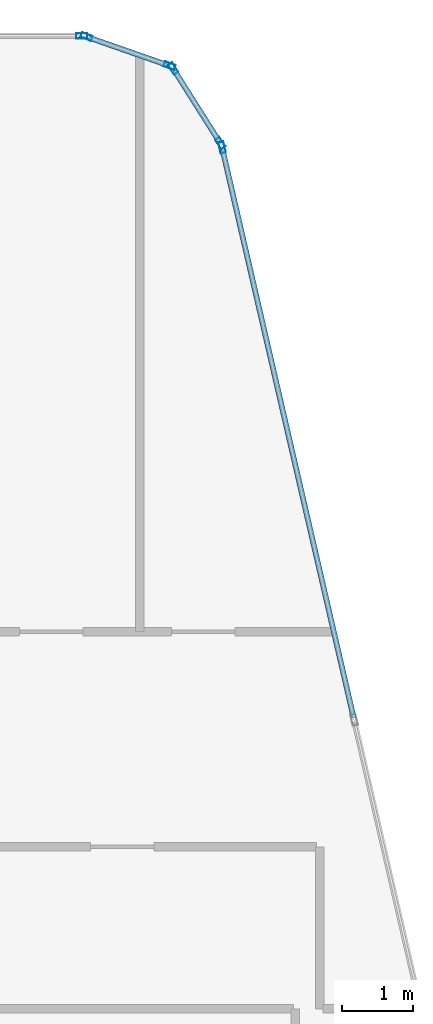
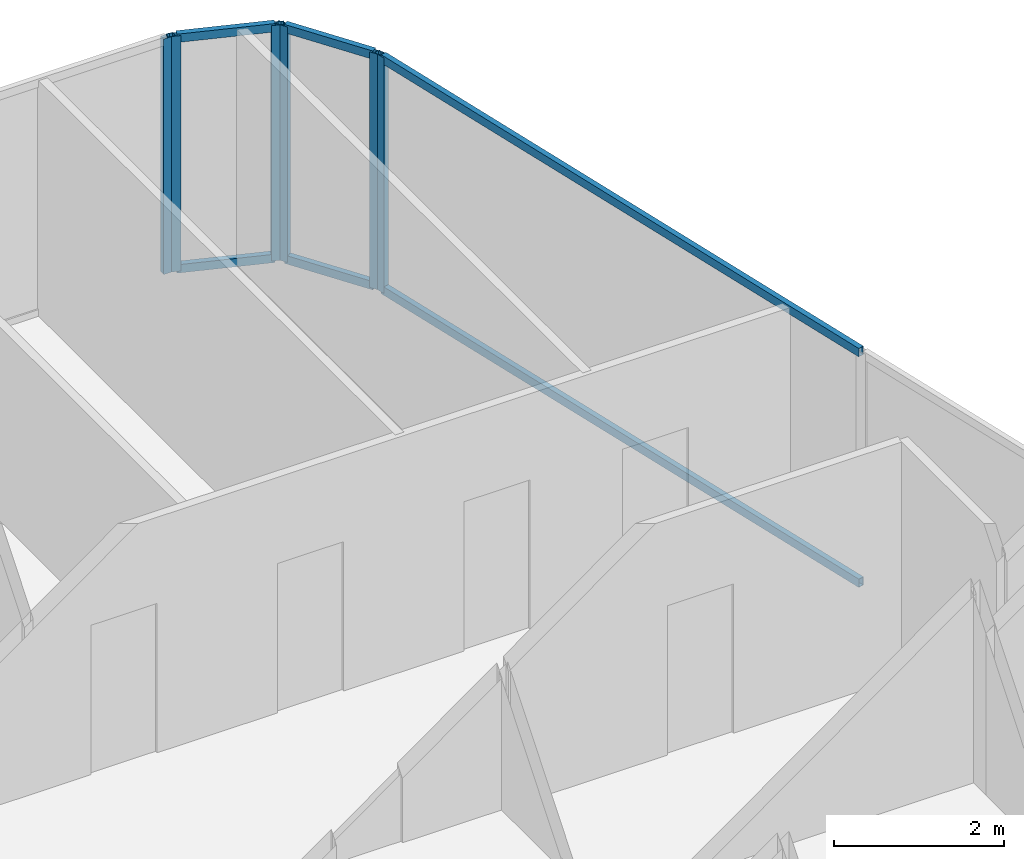
# One storey, part 21 of 29: 12 members, 4 elements without a shape of their own.
"""IFC4 building model written with IfcOpenShell, lengths in metres."""

from ifc_helpers import new_model, si_unit, direction, frame, origin, origin_2d, place, context, subcontext, project, spatial, hollow_rectangle, extrude, material, layer, layer_set, material_profile, profile_set, type_object, element, aggregate, save


model = new_model("IFC4")

# Units and contexts
model_context = context("Model", 3, precision=1e-05, world=origin(), true_north=direction((0.0, 1.0)))
body_context = subcontext(model_context, "Body", "Model", "MODEL_VIEW")
ifc_project = project(units=[si_unit("LENGTHUNIT", "METRE"), si_unit("AREAUNIT", "SQUARE_METRE"), si_unit("VOLUMEUNIT", "CUBIC_METRE"), si_unit("PLANEANGLEUNIT", "RADIAN"), si_unit("MASSUNIT", "GRAM", prefix="KILO")], contexts=[model_context])

# Site, building, storey
site_placement = place(None, origin())
site = spatial("IfcSite", under=ifc_project, at=site_placement, CompositionType="ELEMENT")
building_placement = place(site_placement, origin())
building = spatial("IfcBuilding", under=site, at=building_placement, Name="Keshet Zoharim Tower", CompositionType="ELEMENT")
storey_placement = place(building_placement, frame((0.0, 0.0, 230.199951171875)))
storey = spatial("IfcBuildingStorey", under=building, at=storey_placement, Name="L57", CompositionType="ELEMENT", Elevation=230.199951171875)

# Curtain wall, member
ifc_material = material(Name="Aluminium 6063-T6", Category="aluminium")
ifc_layer = layer(ifc_material, 0.139892578125)
ifc_layer_set = layer_set([ifc_layer], Name="Aluminium 6063-T6")
curtain_wall_type = type_object("IfcCurtainWallType", Name="CW-SYS-05", PredefinedType="NOTDEFINED", material=ifc_layer_set)
curtain_wall_1_placement = place(storey_placement, origin())
curtain_wall_1 = element("IfcCurtainWall", 1, at=curtain_wall_1_placement, inside=storey, type_object=curtain_wall_type, Name="L57 Unitised Curtain Wall 16 Part 3", PredefinedType="NOTDEFINED")
ifc_material_profile_1 = material_profile(ifc_material, hollow_rectangle(XDim=0.074951171875, YDim=0.159912109375, WallThickness=0.00390625, at=origin_2d()), Name="MUL-75x160")
ifc_profile_set_1 = profile_set([ifc_material_profile_1], Name="Aluminium 6063-T6")
member_type_1 = type_object("IfcMemberType", Name="CWM-M15", PredefinedType="MULLION", material=ifc_profile_set_1)
member_1_placement = place(storey_placement, frame((37.3740234375, 53.89990234375, 0.0), z_axis=(0.0, 0.0, 1.0), x_axis=(0.0, 1.0, 0.0)))
member_1 = element("IfcMember", 2, at=member_1_placement, type_object=member_type_1, Name="CW-05 mullion 3", PredefinedType="MULLION", context=body_context, shape_type="SweptSolid", body=[
    extrude(hollow_rectangle(XDim=0.074951171875, YDim=0.159912109375, WallThickness=0.00390625, at=origin_2d()), origin(), (0.0, 0.0, 1.0), 3.39013671875),
])
aggregate(curtain_wall_1, [member_1])

# Curtain wall, members
curtain_wall_2_placement = place(storey_placement, origin())
curtain_wall_2 = element("IfcCurtainWall", 3, at=curtain_wall_2_placement, inside=storey, type_object=curtain_wall_type, Name="L57 Unitised Curtain Wall 17", PredefinedType="NOTDEFINED")
member_2_placement = place(storey_placement, frame((37.442138671875, 53.888427734375, 0.0), z_axis=(0.0, 0.0, 1.0), x_axis=(0.329843743636, 0.944035542119, 0.0)))
member_2 = element("IfcMember", 4, at=member_2_placement, type_object=member_type_1, Name="CW-05 mullion 1", PredefinedType="MULLION", context=body_context, shape_type="SweptSolid", body=[
    extrude(hollow_rectangle(XDim=0.074951171875, YDim=0.159912109375, WallThickness=0.00390625, at=origin_2d()), origin(), (0.0, 0.0, 1.0), 3.39013671875),
])
member_3_placement = place(storey_placement, frame((38.620849609375, 53.4765625, 0.0), z_axis=(0.0, 0.0, 1.0), x_axis=(0.329843743636, 0.944035542119, 0.0)))
member_3 = element("IfcMember", 5, at=member_3_placement, type_object=member_type_1, Name="CW-05 mullion 2", PredefinedType="MULLION", context=body_context, shape_type="SweptSolid", body=[
    extrude(hollow_rectangle(XDim=0.074951171875, YDim=0.159912109375, WallThickness=0.00390625, at=origin_2d()), origin(), (0.0, 0.0, 1.0), 3.39013671875),
])

curtain_wall_3_placement = place(storey_placement, origin())
curtain_wall_3 = element("IfcCurtainWall", 6, at=curtain_wall_3_placement, inside=storey, type_object=curtain_wall_type, Name="L57 Unitised Curtain Wall 18", PredefinedType="NOTDEFINED")
member_4_placement = place(storey_placement, frame((38.672607421875, 53.435302734375, 0.0), z_axis=(0.0, 0.0, 1.0), x_axis=(0.845560976183, 0.533878858502, 0.0)))
member_4 = element("IfcMember", 7, at=member_4_placement, type_object=member_type_1, Name="CW-05 mullion 1", PredefinedType="MULLION", context=body_context, shape_type="SweptSolid", body=[
    extrude(hollow_rectangle(XDim=0.074951171875, YDim=0.159912109375, WallThickness=0.00390625, at=origin_2d()), origin(), (0.0, 0.0, 1.0), 3.39013671875),
])
member_5_placement = place(storey_placement, frame((39.33935546875, 52.379638671875, 0.0), z_axis=(0.0, 0.0, 1.0), x_axis=(0.845560976183, 0.533878858502, 0.0)))
member_5 = element("IfcMember", 8, at=member_5_placement, type_object=member_type_1, Name="CW-05 mullion 2", PredefinedType="MULLION", context=body_context, shape_type="SweptSolid", body=[
    extrude(hollow_rectangle(XDim=0.074951171875, YDim=0.159912109375, WallThickness=0.00390625, at=origin_2d()), origin(), (0.0, 0.0, 1.0), 3.39013671875),
])

# Curtain wall, member
curtain_wall_4_placement = place(storey_placement, origin())
curtain_wall_4 = element("IfcCurtainWall", 9, at=curtain_wall_4_placement, inside=storey, type_object=curtain_wall_type, Name="L57 Unitised Curtain Wall 19", PredefinedType="NOTDEFINED")
member_6_placement = place(storey_placement, frame((39.365966796875, 52.31591796875, 0.0), z_axis=(0.0, 0.0, 1.0), x_axis=(0.974393882313, 0.224847864369, 0.0)))
member_6 = element("IfcMember", 10, at=member_6_placement, type_object=member_type_1, Name="CW-05 mullion 1", PredefinedType="MULLION", context=body_context, shape_type="SweptSolid", body=[
    extrude(hollow_rectangle(XDim=0.074951171875, YDim=0.159912109375, WallThickness=0.00390625, at=origin_2d()), origin(), (0.0, 0.0, 1.0), 3.39013671875),
])

# Member
ifc_material_profile_2 = material_profile(ifc_material, hollow_rectangle(XDim=0.074951171875, YDim=0.1201171875, WallThickness=0.00390625, at=origin_2d()), Name="TRN-75x120")
ifc_profile_set_2 = profile_set([ifc_material_profile_2], Name="Aluminium 6063-T6")
member_type_2 = type_object("IfcMemberType", Name="CWT-T12", PredefinedType="USERDEFINED", material=ifc_profile_set_2)
member_7_placement = place(storey_placement, frame((37.47509765625, 53.876953125, 0.03515625), z_axis=(0.944006789648, -0.329926023675, 0.0), x_axis=(0.329926023675, 0.944006789648, 0.0)))
member_7 = element("IfcMember", 11, at=member_7_placement, type_object=member_type_2, Name="CW-05 transom 1.1", ObjectType="TRANSOM", PredefinedType="USERDEFINED", context=body_context, shape_type="SweptSolid", body=[
    extrude(hollow_rectangle(XDim=0.074951171875, YDim=0.1201171875, WallThickness=0.00390625, at=origin_2d()), origin(), (0.0, 0.0, 1.0), 1.1787109375),
])

member_8_placement = place(storey_placement, frame((37.47509765625, 53.876953125, 3.35498046875), z_axis=(0.944006789648, -0.329926023675, 0.0), x_axis=(0.329926023675, 0.944006789648, 0.0)))
member_8 = element("IfcMember", 12, at=member_8_placement, type_object=member_type_2, Name="CW-05 transom 1.2", ObjectType="TRANSOM", PredefinedType="USERDEFINED", context=body_context, shape_type="SweptSolid", body=[
    extrude(hollow_rectangle(XDim=0.074951171875, YDim=0.1201171875, WallThickness=0.00390625, at=origin_2d()), origin(), (0.0, 0.0, 1.0), 1.1787109375),
])

aggregate(curtain_wall_2, [member_2, member_3, member_7, member_8])

member_9_placement = place(storey_placement, frame((38.69140625, 53.40576171875, 0.03515625), z_axis=(0.53382931122, -0.845592257819, 0.0), x_axis=(0.845592257819, 0.53382931122, 0.0)))
member_9 = element("IfcMember", 13, at=member_9_placement, type_object=member_type_2, Name="CW-05 transom 1.1", ObjectType="TRANSOM", PredefinedType="USERDEFINED", context=body_context, shape_type="SweptSolid", body=[
    extrude(hollow_rectangle(XDim=0.074951171875, YDim=0.1201171875, WallThickness=0.00390625, at=origin_2d()), origin(), (0.0, 0.0, 1.0), 1.178466796875),
])

member_10_placement = place(storey_placement, frame((38.69140625, 53.40576171875, 3.35498046875), z_axis=(0.53382931122, -0.845592257819, 0.0), x_axis=(0.845592257819, 0.53382931122, 0.0)))
member_10 = element("IfcMember", 14, at=member_10_placement, type_object=member_type_2, Name="CW-05 transom 1.2", ObjectType="TRANSOM", PredefinedType="USERDEFINED", context=body_context, shape_type="SweptSolid", body=[
    extrude(hollow_rectangle(XDim=0.074951171875, YDim=0.1201171875, WallThickness=0.00390625, at=origin_2d()), origin(), (0.0, 0.0, 1.0), 1.178466796875),
])

aggregate(curtain_wall_3, [member_4, member_5, member_9, member_10])

member_11_placement = place(storey_placement, frame((39.373779296875, 52.28173828125, 0.03515625), z_axis=(0.224835758738, -0.974396675688, 0.0), x_axis=(0.974396675688, 0.224835758738, 0.0)))
member_11 = element("IfcMember", 15, at=member_11_placement, type_object=member_type_2, Name="CW-05 transom 1.1", ObjectType="TRANSOM", PredefinedType="USERDEFINED", context=body_context, shape_type="SweptSolid", body=[
    extrude(hollow_rectangle(XDim=0.074951171875, YDim=0.1201171875, WallThickness=0.00390625, at=origin_2d()), origin(), (0.0, 0.0, 1.0), 8.259033203125),
])

member_12_placement = place(storey_placement, frame((39.373779296875, 52.28173828125, 3.35498046875), z_axis=(0.224835758738, -0.974396675688, 0.0), x_axis=(0.974396675688, 0.224835758738, 0.0)))
member_12 = element("IfcMember", 16, at=member_12_placement, type_object=member_type_2, Name="CW-05 transom 1.2", ObjectType="TRANSOM", PredefinedType="USERDEFINED", context=body_context, shape_type="SweptSolid", body=[
    extrude(hollow_rectangle(XDim=0.074951171875, YDim=0.1201171875, WallThickness=0.00390625, at=origin_2d()), origin(), (0.0, 0.0, 1.0), 8.259033203125),
])

aggregate(curtain_wall_4, [member_6, member_11, member_12])

save(model, "model.ifc")
